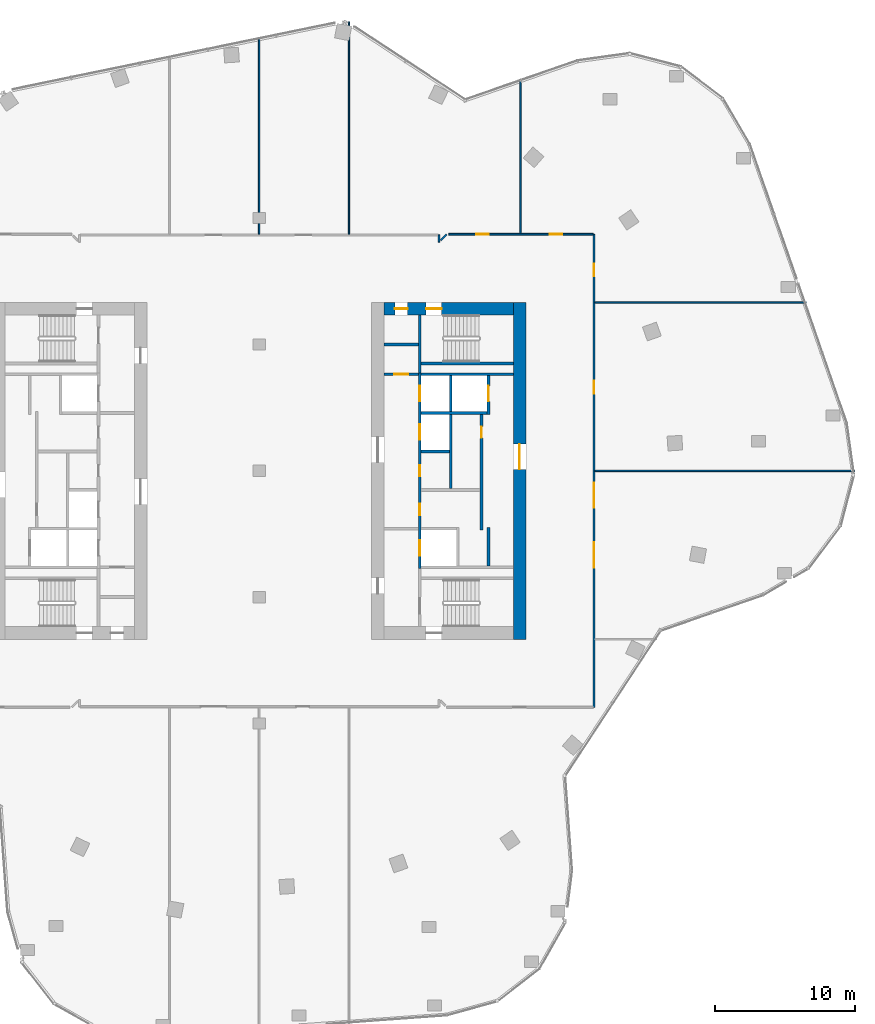
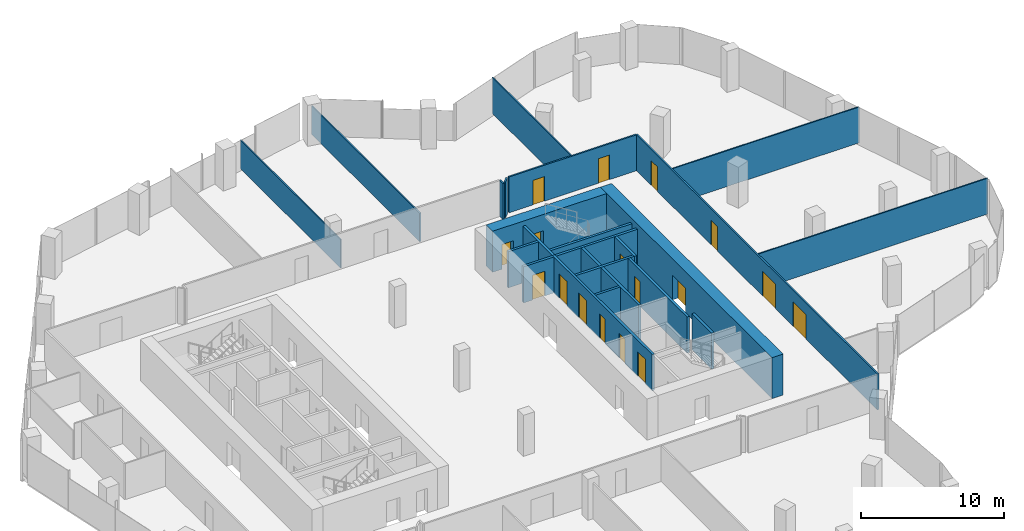
# One storey, part 20 of 24: 24 walls, 17 doors, 17 openings.
"""IFC4 building model written with IfcOpenShell, lengths in metres."""

from ifc_helpers import new_model, si_unit, direction, frame, frame_2d, origin, place, context, subcontext, project, spatial, rectangle, extrude, material, layer, layer_set, type_object, element, fill, save


model = new_model("IFC4")

# Units and contexts
model_context = context("Model", 3, precision=1e-05, world=origin(), true_north=direction((0.0, 1.0)))
body_context = subcontext(model_context, "Body", "Model", "MODEL_VIEW")
ifc_project = project(units=[si_unit("LENGTHUNIT", "METRE"), si_unit("AREAUNIT", "SQUARE_METRE"), si_unit("VOLUMEUNIT", "CUBIC_METRE"), si_unit("PLANEANGLEUNIT", "RADIAN"), si_unit("MASSUNIT", "GRAM", prefix="KILO")], contexts=[model_context])

# Site, building, storey
site_placement = place(None, origin())
site = spatial("IfcSite", under=ifc_project, at=site_placement, CompositionType="ELEMENT")
building_placement = place(site_placement, origin())
building = spatial("IfcBuilding", under=site, at=building_placement, Name="Orlundy Tower", CompositionType="ELEMENT")
storey_placement = place(building_placement, frame((0.0, 0.0, 246.0)))
storey = spatial("IfcBuildingStorey", under=building, at=storey_placement, Name="L65", CompositionType="ELEMENT", Elevation=246.0)

# Wall, openings, doors
ifc_material_1 = material(Name="Concrete C60/75", Category="concrete")
ifc_layer_1 = layer(ifc_material_1, 0.89990234375)
ifc_layer_set_1 = layer_set([ifc_layer_1], Name="CORE WALL 900 C60/75")
wall_type_1 = type_object("IfcWallType", Name="CORE WALL 900 C60/75", PredefinedType="SHEAR", material=ifc_layer_set_1)
wall_1_placement = place(storey_placement, frame((8.89990234375, 11.550048828125, 0.0), z_axis=(0.0, 0.0, 1.0), x_axis=(1.0, 0.0, 0.0)))
wall_1 = element("IfcWall", 1, at=wall_1_placement, inside=storey, type_object=wall_type_1, Name="Core wall E-N L65", PredefinedType="SHEAR", context=body_context, shape_type="SweptSolid", body=[
    extrude(rectangle(XDim=9.2001953125, YDim=0.89990234375, at=frame_2d((4.60009765625, 0.0))), origin(), (0.0, 0.0, 1.0), 3.5),
])
opening_1_placement = place(wall_1_placement, frame((3.0, 0.0, 0.0)))
opening_1 = element("IfcOpeningElement", 2, at=opening_1_placement, cuts=wall_1, Name="Opening 49061", PredefinedType="OPENING", context=body_context, shape_type="SweptSolid", body=[
    extrude(rectangle(XDim=1.10009765625, YDim=2.10009765625, at=frame_2d((0.550048828125, 1.050048828125))), frame((0.0, 0.4599609375, 0.0), z_axis=(0.0, -1.0, 0.0), x_axis=(1.0, 0.0, 0.0)), (0.0, 0.0, 1.0), 0.919921875),
])
opening_2_placement = place(wall_1_placement, frame((0.77001953125, 0.0, 0.0)))
opening_2 = element("IfcOpeningElement", 3, at=opening_2_placement, cuts=wall_1, Name="Opening 49063", PredefinedType="OPENING", context=body_context, shape_type="SweptSolid", body=[
    extrude(rectangle(XDim=0.89990234375, YDim=2.10009765625, at=frame_2d((0.449951171875, 1.050048828125))), frame((0.0, 0.4599609375, 0.0), z_axis=(0.0, -1.0, 0.0), x_axis=(1.0, 0.0, 0.0)), (0.0, 0.0, 1.0), 0.919921875),
])
ifc_material_2 = material(Name="Timber door set", Category="wood")
door_type_1 = type_object("IfcDoorType", Name="Room Door 900x2100", OperationType="SINGLE_SWING_LEFT", PredefinedType="DOOR", material=ifc_material_2)
door_1_placement = place(opening_2_placement, origin())
door_1 = element("IfcDoor", 4, at=door_1_placement, inside=storey, type_object=door_type_1, Name="Store door 49063", OperationType="SINGLE_SWING_LEFT", OverallHeight=2.10009765625, OverallWidth=0.89990234375, PredefinedType="DOOR", context=body_context, shape_type="SweptSolid", body=[
    extrude(rectangle(XDim=0.89990234375, YDim=2.10009765625, at=frame_2d((0.449951171875, 1.050048828125))), frame((0.0, 0.02490234375, 0.0), z_axis=(0.0, -1.0, 0.0), x_axis=(1.0, 0.0, 0.0)), (0.0, 0.0, 1.0), 0.050048828125),
])
fill(opening_2, door_1)
ifc_material_3 = material(Name="Steel door set", Category="steel")
door_type_2 = type_object("IfcDoorType", Name="Stair Door 1100x2100", OperationType="SINGLE_SWING_LEFT", PredefinedType="DOOR", material=ifc_material_3)
door_2_placement = place(opening_1_placement, origin())
door_2 = element("IfcDoor", 5, at=door_2_placement, inside=storey, type_object=door_type_2, Name="Stair door 49061", OperationType="SINGLE_SWING_LEFT", OverallHeight=2.10009765625, OverallWidth=1.10009765625, PredefinedType="DOOR", context=body_context, shape_type="SweptSolid", body=[
    extrude(rectangle(XDim=1.10009765625, YDim=2.10009765625, at=frame_2d((0.550048828125, 1.050048828125))), frame((0.0, 0.02490234375, 0.0), z_axis=(0.0, -1.0, 0.0), x_axis=(1.0, 0.0, 0.0)), (0.0, 0.0, 1.0), 0.050048828125),
])
fill(opening_1, door_2)

# Wall, opening, door
wall_2_placement = place(storey_placement, frame((18.550048828125, -12.0, 0.0), z_axis=(0.0, 0.0, 1.0), x_axis=(0.0, 1.0, 0.0)))
wall_2 = element("IfcWall", 6, at=wall_2_placement, inside=storey, type_object=wall_type_1, Name="Core wall E-E L65", PredefinedType="SHEAR", context=body_context, shape_type="SweptSolid", body=[
    extrude(rectangle(XDim=24.0, YDim=0.89990234375, at=frame_2d((12.0, 0.0))), origin(), (0.0, 0.0, 1.0), 3.5),
])
opening_3_placement = place(wall_2_placement, frame((12.10009765625, 0.0, 0.0)))
opening_3 = element("IfcOpeningElement", 7, at=opening_3_placement, cuts=wall_2, Name="Opening 49058", PredefinedType="OPENING", context=body_context, shape_type="SweptSolid", body=[
    extrude(rectangle(XDim=1.800048828125, YDim=2.10009765625, at=frame_2d((0.89990234375, 1.050048828125))), frame((0.0, 0.4599609375, 0.0), z_axis=(0.0, -1.0, 0.0), x_axis=(1.0, 0.0, 0.0)), (0.0, 0.0, 1.0), 0.919921875),
])
ifc_material_4 = material(Name="Timber door set", Category="wood")
door_type_3 = type_object("IfcDoorType", Name="Lobby Door 1800x2100", OperationType="DOUBLE_DOOR_DOUBLE_SWING", PredefinedType="DOOR", material=ifc_material_4)
door_3_placement = place(opening_3_placement, origin())
door_3 = element("IfcDoor", 8, at=door_3_placement, inside=storey, type_object=door_type_3, Name="Lift lobby door 49058", OperationType="SINGLE_SWING_RIGHT", OverallHeight=2.10009765625, OverallWidth=1.800048828125, PredefinedType="DOOR", context=body_context, shape_type="SweptSolid", body=[
    extrude(rectangle(XDim=1.800048828125, YDim=2.10009765625, at=frame_2d((0.89990234375, 1.050048828125))), frame((0.0, 0.02490234375, 0.0), z_axis=(0.0, -1.0, 0.0), x_axis=(1.0, 0.0, 0.0)), (0.0, 0.0, 1.0), 0.050048828125),
])
fill(opening_3, door_3)

# Walls
ifc_material_5 = material(Name="Gypsum board partition")
ifc_layer_2 = layer(ifc_material_5, 0.10009765625)
ifc_layer_set_2 = layer_set([ifc_layer_2], Name="Floor partition 100")
wall_type_2 = type_object("IfcWallType", Name="Floor partition 100", PredefinedType="PARTITIONING", material=ifc_layer_set_2)
wall_3_placement = place(storey_placement, frame((23.9130859375, 0.0, 0.0), z_axis=(0.0, 0.0, 1.0), x_axis=(1.0, 0.0, 0.0)))
element("IfcWall", 9, at=wall_3_placement, inside=storey, type_object=wall_type_2, Name="wall-int-L65-009", PredefinedType="PARTITIONING", context=body_context, shape_type="SweptSolid", body=[
    extrude(rectangle(XDim=18.510986328125, YDim=0.10009765625, at=frame_2d((9.25537109375, 0.0))), origin(), (0.0, 0.0, 1.0), 3.06005859375),
])
wall_4_placement = place(storey_placement, frame((23.9130859375, 12.0, 0.0), z_axis=(0.0, 0.0, 1.0), x_axis=(1.0, 0.0, 0.0)))
element("IfcWall", 10, at=wall_4_placement, inside=storey, type_object=wall_type_2, Name="wall-int-L65-012", PredefinedType="PARTITIONING", context=body_context, shape_type="SweptSolid", body=[
    extrude(rectangle(XDim=15.056884765625, YDim=0.10009765625, at=frame_2d((7.5283203125, 0.0))), origin(), (0.0, 0.0, 1.0), 3.06005859375),
])
wall_5_placement = place(storey_placement, frame((18.60498046875, 16.9130859375, 0.0), z_axis=(0.0, 0.0, 1.0), x_axis=(0.0, 1.0, 0.0)))
element("IfcWall", 11, at=wall_5_placement, inside=storey, type_object=wall_type_2, Name="wall-int-L65-019", PredefinedType="PARTITIONING", context=body_context, shape_type="SweptSolid", body=[
    extrude(rectangle(XDim=10.991943359375, YDim=0.10009765625, at=frame_2d((5.49609375, 0.0))), origin(), (0.0, 0.0, 1.0), 3.06005859375),
])
ifc_material_6 = material(Name="Gypsum board partition")
ifc_layer_3 = layer(ifc_material_6, 0.10009765625)
ifc_layer_set_3 = layer_set([ifc_layer_3], Name="Floor partition 100 B")
wall_type_3 = type_object("IfcWallType", Name="Floor partition 100 B", PredefinedType="PARTITIONING", material=ifc_layer_set_3)
wall_6_placement = place(storey_placement, frame((6.39892578125, 16.863037109375, 0.0), z_axis=(0.0, 0.0, 1.0), x_axis=(0.0, 1.0, 0.0)))
element("IfcWall", 12, at=wall_6_placement, inside=storey, type_object=wall_type_3, Name="wall-int-L65-023", PredefinedType="PARTITIONING", context=body_context, shape_type="SweptSolid", body=[
    extrude(rectangle(XDim=15.135009765625, YDim=0.10009765625, at=frame_2d((7.5673828125, 0.0))), origin(), (0.0, 0.0, 1.0), 2.425048828125),
])
wall_7_placement = place(storey_placement, frame((0.0, 16.863037109375, 0.0), z_axis=(0.0, 0.0, 1.0), x_axis=(0.0, 1.0, 0.0)))
element("IfcWall", 13, at=wall_7_placement, inside=storey, type_object=wall_type_3, Name="wall-int-L65-025", PredefinedType="PARTITIONING", context=body_context, shape_type="SweptSolid", body=[
    extrude(rectangle(XDim=14.02490234375, YDim=0.10009765625, at=frame_2d((7.012451171875, 0.0))), origin(), (0.0, 0.0, 1.0), 2.425048828125),
])

# Wall, openings, doors
ifc_material_7 = material(Name="Gypsum board partition, double layer")
ifc_layer_4 = layer(ifc_material_7, 0.125)
ifc_layer_set_4 = layer_set([ifc_layer_4], Name="Floor partition 125")
wall_type_4 = type_object("IfcWallType", Name="Floor partition 125", PredefinedType="PARTITIONING", material=ifc_layer_set_4)
wall_8_placement = place(storey_placement, frame((13.510986328125, 16.85107421875, 0.0), z_axis=(0.0, 0.0, 1.0), x_axis=(1.0, 0.0, 0.0)))
wall_8 = element("IfcWall", 14, at=wall_8_placement, inside=storey, type_object=wall_type_4, Name="wall-int-L65-015", PredefinedType="PARTITIONING", context=body_context, shape_type="SweptSolid", body=[
    extrude(rectangle(XDim=10.276123046875, YDim=0.125, at=frame_2d((5.13818359375, 0.0))), origin(), (0.0, 0.0, 1.0), 3.06005859375),
])
opening_4_placement = place(wall_8_placement, frame((7.194091796875, 0.0, 0.0)))
opening_4 = element("IfcOpeningElement", 15, at=opening_4_placement, cuts=wall_8, Name="Opening 49107", PredefinedType="OPENING", context=body_context, shape_type="SweptSolid", body=[
    extrude(rectangle(XDim=0.89990234375, YDim=2.10009765625, at=frame_2d((0.449951171875, 1.050048828125))), frame((0.0, 0.072509765625, 0.0), z_axis=(0.0, -1.0, 0.0), x_axis=(1.0, 0.0, 0.0)), (0.0, 0.0, 1.0), 0.14501953125),
])
opening_5_placement = place(wall_8_placement, frame((1.94921875, 0.0, 0.0)))
opening_5 = element("IfcOpeningElement", 16, at=opening_5_placement, cuts=wall_8, Name="Opening 49109", PredefinedType="OPENING", context=body_context, shape_type="SweptSolid", body=[
    extrude(rectangle(XDim=0.89990234375, YDim=2.10009765625, at=frame_2d((0.449951171875, 1.050048828125))), frame((0.0, 0.072509765625, 0.0), z_axis=(0.0, -1.0, 0.0), x_axis=(1.0, 0.0, 0.0)), (0.0, 0.0, 1.0), 0.14501953125),
])
ifc_material_8 = material(Name="Timber door leaf", Category="wood")
door_type_4 = type_object("IfcDoorType", Name="Floor door single 900 FD30S", OperationType="NOTDEFINED", PredefinedType="DOOR", material=ifc_material_8)
door_4_placement = place(opening_4_placement, origin())
door_4 = element("IfcDoor", 17, at=door_4_placement, inside=storey, type_object=door_type_4, Name="Door 49107", OperationType="SINGLE_SWING_RIGHT", OverallHeight=2.10009765625, OverallWidth=0.89990234375, PredefinedType="DOOR", context=body_context, shape_type="SweptSolid", body=[
    extrude(rectangle(XDim=0.89990234375, YDim=2.10009765625, at=frame_2d((0.449951171875, 1.050048828125))), frame((0.0, 0.02490234375, 0.0), z_axis=(0.0, -1.0, 0.0), x_axis=(1.0, 0.0, 0.0)), (0.0, 0.0, 1.0), 0.050048828125),
])
fill(opening_4, door_4)
door_5_placement = place(opening_5_placement, origin())
door_5 = element("IfcDoor", 18, at=door_5_placement, inside=storey, type_object=door_type_4, Name="Door 49109", OperationType="SINGLE_SWING_LEFT", OverallHeight=2.10009765625, OverallWidth=0.89990234375, PredefinedType="DOOR", context=body_context, shape_type="SweptSolid", body=[
    extrude(rectangle(XDim=0.89990234375, YDim=2.10009765625, at=frame_2d((0.449951171875, 1.050048828125))), frame((0.0, 0.02490234375, 0.0), z_axis=(0.0, -1.0, 0.0), x_axis=(1.0, 0.0, 0.0)), (0.0, 0.0, 1.0), 0.050048828125),
])
fill(opening_5, door_5)

# Wall
wall_9_placement = place(storey_placement, frame((12.928955078125, 16.406982421875, 0.0), z_axis=(0.0, 0.0, 1.0), x_axis=(0.707106781187, 0.707106781187, 0.0)))
element("IfcWall", 19, at=wall_9_placement, inside=storey, type_object=wall_type_4, Name="wall-int-L65-017", PredefinedType="PARTITIONING", context=body_context, shape_type="SweptSolid", body=[
    extrude(rectangle(XDim=0.599609375, YDim=0.125, at=frame_2d((0.2998046875, 0.0))), origin(), (0.0, 0.0, 1.0), 3.06005859375),
])

# Wall, openings, doors
wall_10_placement = place(storey_placement, frame((23.85107421875, 16.85009765625, 0.0), z_axis=(0.0, 0.0, 1.0), x_axis=(0.0, -1.0, 0.0)))
wall_10 = element("IfcWall", 20, at=wall_10_placement, inside=storey, type_object=wall_type_4, Name="wall-int-L65-018", PredefinedType="PARTITIONING", context=body_context, shape_type="SweptSolid", body=[
    extrude(rectangle(XDim=33.7001953125, YDim=0.125, at=frame_2d((16.85009765625, 0.0))), origin(), (0.0, 0.0, 1.0), 3.06005859375),
])
opening_6_placement = place(wall_10_placement, frame((21.949951171875, 0.0, 0.0)))
opening_6 = element("IfcOpeningElement", 21, at=opening_6_placement, cuts=wall_10, Name="Opening 49104", PredefinedType="OPENING", context=body_context, shape_type="SweptSolid", body=[
    extrude(rectangle(XDim=1.800048828125, YDim=2.10009765625, at=frame_2d((0.89990234375, 1.050048828125))), frame((0.0, 0.072509765625, 0.0), z_axis=(0.0, -1.0, 0.0), x_axis=(1.0, 0.0, 0.0)), (0.0, 0.0, 1.0), 0.14501953125),
])
opening_7_placement = place(wall_10_placement, frame((17.699951171875, 0.0, 0.0)))
opening_7 = element("IfcOpeningElement", 22, at=opening_7_placement, cuts=wall_10, Name="Opening 49105", PredefinedType="OPENING", context=body_context, shape_type="SweptSolid", body=[
    extrude(rectangle(XDim=1.800048828125, YDim=2.10009765625, at=frame_2d((0.89990234375, 1.050048828125))), frame((0.0, 0.072509765625, 0.0), z_axis=(0.0, -1.0, 0.0), x_axis=(1.0, 0.0, 0.0)), (0.0, 0.0, 1.0), 0.14501953125),
])
opening_8_placement = place(wall_10_placement, frame((10.449951171875, 0.0, 0.0)))
opening_8 = element("IfcOpeningElement", 23, at=opening_8_placement, cuts=wall_10, Name="Opening 49106", PredefinedType="OPENING", context=body_context, shape_type="SweptSolid", body=[
    extrude(rectangle(XDim=0.89990234375, YDim=2.10009765625, at=frame_2d((0.449951171875, 1.050048828125))), frame((0.0, 0.072509765625, 0.0), z_axis=(0.0, -1.0, 0.0), x_axis=(1.0, 0.0, 0.0)), (0.0, 0.0, 1.0), 0.14501953125),
])
opening_9_placement = place(wall_10_placement, frame((2.10009765625, 0.0, 0.0)))
opening_9 = element("IfcOpeningElement", 24, at=opening_9_placement, cuts=wall_10, Name="Opening 49108", PredefinedType="OPENING", context=body_context, shape_type="SweptSolid", body=[
    extrude(rectangle(XDim=0.89990234375, YDim=2.10009765625, at=frame_2d((0.449951171875, 1.050048828125))), frame((0.0, 0.072509765625, 0.0), z_axis=(0.0, -1.0, 0.0), x_axis=(1.0, 0.0, 0.0)), (0.0, 0.0, 1.0), 0.14501953125),
])
ifc_material_9 = material(Name="Timber door leaf", Category="wood")
door_type_5 = type_object("IfcDoorType", Name="Floor door double 1800 FD30S", OperationType="NOTDEFINED", PredefinedType="DOOR", material=ifc_material_9)
door_6_placement = place(opening_6_placement, origin())
door_6 = element("IfcDoor", 25, at=door_6_placement, inside=storey, type_object=door_type_5, Name="Door 49104", OperationType="DOUBLE_DOOR_SINGLE_SWING", OverallHeight=2.10009765625, OverallWidth=1.800048828125, PredefinedType="DOOR", context=body_context, shape_type="SweptSolid", body=[
    extrude(rectangle(XDim=1.800048828125, YDim=2.10009765625, at=frame_2d((0.89990234375, 1.050048828125))), frame((0.0, 0.02490234375, 0.0), z_axis=(0.0, -1.0, 0.0), x_axis=(1.0, 0.0, 0.0)), (0.0, 0.0, 1.0), 0.050048828125),
])
fill(opening_6, door_6)
door_7_placement = place(opening_7_placement, origin())
door_7 = element("IfcDoor", 26, at=door_7_placement, inside=storey, type_object=door_type_5, Name="Door 49105", OperationType="DOUBLE_DOOR_SINGLE_SWING", OverallHeight=2.10009765625, OverallWidth=1.800048828125, PredefinedType="DOOR", context=body_context, shape_type="SweptSolid", body=[
    extrude(rectangle(XDim=1.800048828125, YDim=2.10009765625, at=frame_2d((0.89990234375, 1.050048828125))), frame((0.0, 0.02490234375, 0.0), z_axis=(0.0, -1.0, 0.0), x_axis=(1.0, 0.0, 0.0)), (0.0, 0.0, 1.0), 0.050048828125),
])
fill(opening_7, door_7)
door_8_placement = place(opening_8_placement, origin())
door_8 = element("IfcDoor", 27, at=door_8_placement, inside=storey, type_object=door_type_4, Name="Door 49106", OperationType="SINGLE_SWING_LEFT", OverallHeight=2.10009765625, OverallWidth=0.89990234375, PredefinedType="DOOR", context=body_context, shape_type="SweptSolid", body=[
    extrude(rectangle(XDim=0.89990234375, YDim=2.10009765625, at=frame_2d((0.449951171875, 1.050048828125))), frame((0.0, 0.02490234375, 0.0), z_axis=(0.0, -1.0, 0.0), x_axis=(1.0, 0.0, 0.0)), (0.0, 0.0, 1.0), 0.050048828125),
])
fill(opening_8, door_8)
door_9_placement = place(opening_9_placement, origin())
door_9 = element("IfcDoor", 28, at=door_9_placement, inside=storey, type_object=door_type_4, Name="Door 49108", OperationType="SINGLE_SWING_LEFT", OverallHeight=2.10009765625, OverallWidth=0.89990234375, PredefinedType="DOOR", context=body_context, shape_type="SweptSolid", body=[
    extrude(rectangle(XDim=0.89990234375, YDim=2.10009765625, at=frame_2d((0.449951171875, 1.050048828125))), frame((0.0, 0.02490234375, 0.0), z_axis=(0.0, -1.0, 0.0), x_axis=(1.0, 0.0, 0.0)), (0.0, 0.0, 1.0), 0.050048828125),
])
fill(opening_9, door_9)

# Walls
wall_11_placement = place(storey_placement, frame((12.801025390625, 16.2919921875, 0.0), z_axis=(0.0, 0.0, 1.0), x_axis=(0.0, 1.0, 0.0)))
element("IfcWall", 29, at=wall_11_placement, inside=storey, type_object=wall_type_4, Name="wall-int-L65-021", PredefinedType="PARTITIONING", context=body_context, shape_type="SweptSolid", body=[
    extrude(rectangle(XDim=0.508056640625, YDim=0.125, at=frame_2d((0.25390625, 0.0))), origin(), (0.0, 0.0, 1.0), 3.06005859375),
])
ifc_material_10 = material(Name="Concrete C40/50", Category="concrete")
ifc_layer_5 = layer(ifc_material_10, 0.199951171875)
ifc_layer_set_5 = layer_set([ifc_layer_5], Name="Load-bearing Shaft Wall 200")
wall_type_5 = type_object("IfcWallType", Name="Load-bearing Shaft Wall 200", PredefinedType="SOLIDWALL", material=ifc_layer_set_5)
wall_12_placement = place(storey_placement, frame((11.43994140625, 11.10009765625, 0.0), z_axis=(0.0, 0.0, 1.0), x_axis=(0.0, -1.0, 0.0)))
element("IfcWall", 30, at=wall_12_placement, inside=storey, type_object=wall_type_5, Name="Shaft wall E49-stair-end-s", PredefinedType="SOLIDWALL", context=body_context, shape_type="SweptSolid", body=[
    extrude(rectangle(XDim=4.125, YDim=0.199951171875, at=frame_2d((2.0625, 0.0))), origin(), (0.0, 0.0, 1.0), 3.080078125),
])
wall_13_placement = place(storey_placement, frame((11.5400390625, 7.64990234375, 0.0), z_axis=(0.0, 0.0, 1.0), x_axis=(1.0, 0.0, 0.0)))
element("IfcWall", 31, at=wall_13_placement, inside=storey, type_object=wall_type_5, Name="Shaft wall E49-stair-side-s", PredefinedType="SOLIDWALL", context=body_context, shape_type="SweptSolid", body=[
    extrude(rectangle(XDim=6.56005859375, YDim=0.199951171875, at=frame_2d((3.280029296875, 0.0))), origin(), (0.0, 0.0, 1.0), 3.080078125),
])

# Wall, opening, door
ifc_material_11 = material(Name="Gypsum board partition on steel studs", Category="steel")
ifc_layer_6 = layer(ifc_material_11, 0.199951171875)
ifc_layer_set_6 = layer_set([ifc_layer_6], Name="Partition 200")
wall_type_6 = type_object("IfcWallType", Name="Partition 200", PredefinedType="PARTITIONING", material=ifc_layer_set_6)
wall_14_placement = place(storey_placement, frame((8.89990234375, 6.875, 0.0), z_axis=(0.0, 0.0, 1.0), x_axis=(1.0, 0.0, 0.0)))
wall_14 = element("IfcWall", 32, at=wall_14_placement, inside=storey, type_object=wall_type_6, Name="Partition wall E49-end-s", PredefinedType="PARTITIONING", context=body_context, shape_type="SweptSolid", body=[
    extrude(rectangle(XDim=2.440185546875, YDim=0.199951171875, at=frame_2d((1.22021484375, 0.0))), origin(), (0.0, 0.0, 1.0), 3.080078125),
])
opening_10_placement = place(wall_14_placement, frame((0.719970703125, 0.0, 0.0)))
opening_10 = element("IfcOpeningElement", 33, at=opening_10_placement, cuts=wall_14, Name="Opening 49064", PredefinedType="OPENING", context=body_context, shape_type="SweptSolid", body=[
    extrude(rectangle(XDim=1.0, YDim=2.10009765625, at=frame_2d((0.5, 1.050048828125))), frame((0.0, 0.110107421875, 0.0), z_axis=(0.0, -1.0, 0.0), x_axis=(1.0, 0.0, 0.0)), (0.0, 0.0, 1.0), 0.22021484375),
])
ifc_material_12 = material(Name="Timber door set", Category="wood")
door_type_6 = type_object("IfcDoorType", Name="Accessible Door 1000x2100", OperationType="SINGLE_SWING_LEFT", PredefinedType="DOOR", material=ifc_material_12)
door_10_placement = place(opening_10_placement, origin())
door_10 = element("IfcDoor", 34, at=door_10_placement, inside=storey, type_object=door_type_6, Name="Accessible WC door 49064", OperationType="SINGLE_SWING_RIGHT", OverallHeight=2.10009765625, OverallWidth=1.0, PredefinedType="DOOR", context=body_context, shape_type="SweptSolid", body=[
    extrude(rectangle(XDim=1.0, YDim=2.10009765625, at=frame_2d((0.5, 1.050048828125))), frame((0.0, 0.02490234375, 0.0), z_axis=(0.0, -1.0, 0.0), x_axis=(1.0, 0.0, 0.0)), (0.0, 0.0, 1.0), 0.050048828125),
])
fill(opening_10, door_10)

# Walls
wall_15_placement = place(storey_placement, frame((8.89990234375, 9.0, 0.0), z_axis=(0.0, 0.0, 1.0), x_axis=(1.0, 0.0, 0.0)))
element("IfcWall", 35, at=wall_15_placement, inside=storey, type_object=wall_type_6, Name="Partition wall E49-room-s0", PredefinedType="PARTITIONING", context=body_context, shape_type="SweptSolid", body=[
    extrude(rectangle(XDim=2.440185546875, YDim=0.199951171875, at=frame_2d((1.22021484375, 0.0))), origin(), (0.0, 0.0, 1.0), 3.080078125),
])
ifc_material_13 = material(Name="Fire-rated blockwork shaft wall", Category="masonry")
ifc_layer_7 = layer(ifc_material_13, 0.199951171875)
ifc_layer_set_7 = layer_set([ifc_layer_7], Name="Shaft Wall 200")
wall_type_7 = type_object("IfcWallType", Name="Shaft Wall 200", PredefinedType="SOLIDWALL", material=ifc_layer_set_7)
wall_16_placement = place(storey_placement, frame((11.5400390625, 6.875, 0.0), z_axis=(0.0, 0.0, 1.0), x_axis=(1.0, 0.0, 0.0)))
element("IfcWall", 36, at=wall_16_placement, inside=storey, type_object=wall_type_7, Name="Shaft wall E49-zone-s", PredefinedType="SOLIDWALL", context=body_context, shape_type="SweptSolid", body=[
    extrude(rectangle(XDim=6.56005859375, YDim=0.199951171875, at=frame_2d((3.280029296875, 0.0))), origin(), (0.0, 0.0, 1.0), 3.080078125),
])
wall_17_placement = place(storey_placement, frame((11.5400390625, 4.125, 0.0), z_axis=(0.0, 0.0, 1.0), x_axis=(1.0, 0.0, 0.0)))
element("IfcWall", 37, at=wall_17_placement, inside=storey, type_object=wall_type_7, Name="Shaft wall E49-cross-4.125", PredefinedType="SOLIDWALL", context=body_context, shape_type="SweptSolid", body=[
    extrude(rectangle(XDim=4.699951171875, YDim=0.199951171875, at=frame_2d((2.35009765625, 0.0))), origin(), (0.0, 0.0, 1.0), 3.080078125),
])
wall_18_placement = place(storey_placement, frame((11.5400390625, 1.375, 0.0), z_axis=(0.0, 0.0, 1.0), x_axis=(1.0, 0.0, 0.0)))
element("IfcWall", 38, at=wall_18_placement, inside=storey, type_object=wall_type_7, Name="Shaft wall E49-cross-1.375", PredefinedType="SOLIDWALL", context=body_context, shape_type="SweptSolid", body=[
    extrude(rectangle(XDim=2.0, YDim=0.199951171875, at=frame_2d((1.0, 0.0))), origin(), (0.0, 0.0, 1.0), 3.080078125),
])

# Wall, openings, doors
wall_19_placement = place(storey_placement, frame((11.43994140625, 6.97509765625, 0.0), z_axis=(0.0, 0.0, 1.0), x_axis=(0.0, -1.0, 0.0)))
wall_19 = element("IfcWall", 39, at=wall_19_placement, inside=storey, type_object=wall_type_7, Name="Shaft wall E49-front-h", PredefinedType="SOLIDWALL", context=body_context, shape_type="SweptSolid", body=[
    extrude(rectangle(XDim=13.9501953125, YDim=0.199951171875, at=frame_2d((6.97509765625, 0.0))), origin(), (0.0, 0.0, 1.0), 3.080078125),
])
opening_11_placement = place(wall_19_placement, frame((0.925048828125, 0.0, 0.0)))
opening_11 = element("IfcOpeningElement", 40, at=opening_11_placement, cuts=wall_19, Name="Opening 49050", PredefinedType="OPENING", context=body_context, shape_type="SweptSolid", body=[
    extrude(rectangle(XDim=1.10009765625, YDim=2.10009765625, at=frame_2d((0.550048828125, 1.050048828125))), frame((0.0, 0.110107421875, 0.0), z_axis=(0.0, -1.0, 0.0), x_axis=(1.0, 0.0, 0.0)), (0.0, 0.0, 1.0), 0.22021484375),
])
opening_12_placement = place(wall_19_placement, frame((3.675048828125, 0.0, 0.0)))
opening_12 = element("IfcOpeningElement", 41, at=opening_12_placement, cuts=wall_19, Name="Opening 49052", PredefinedType="OPENING", context=body_context, shape_type="SweptSolid", body=[
    extrude(rectangle(XDim=1.10009765625, YDim=2.10009765625, at=frame_2d((0.550048828125, 1.050048828125))), frame((0.0, 0.110107421875, 0.0), z_axis=(0.0, -1.0, 0.0), x_axis=(1.0, 0.0, 0.0)), (0.0, 0.0, 1.0), 0.22021484375),
])
opening_13_placement = place(wall_19_placement, frame((11.925048828125, 0.0, 0.0)))
opening_13 = element("IfcOpeningElement", 42, at=opening_13_placement, cuts=wall_19, Name="Opening 49053", PredefinedType="OPENING", context=body_context, shape_type="SweptSolid", body=[
    extrude(rectangle(XDim=1.10009765625, YDim=2.10009765625, at=frame_2d((0.550048828125, 1.050048828125))), frame((0.0, 0.110107421875, 0.0), z_axis=(0.0, -1.0, 0.0), x_axis=(1.0, 0.0, 0.0)), (0.0, 0.0, 1.0), 0.22021484375),
])
opening_14_placement = place(wall_19_placement, frame((6.574951171875, 0.0, 0.0)))
opening_14 = element("IfcOpeningElement", 43, at=opening_14_placement, cuts=wall_19, Name="Opening 49055", PredefinedType="OPENING", context=body_context, shape_type="SweptSolid", body=[
    extrude(rectangle(XDim=0.800048828125, YDim=2.10009765625, at=frame_2d((0.39990234375, 1.050048828125))), frame((0.0, 0.110107421875, 0.0), z_axis=(0.0, -1.0, 0.0), x_axis=(1.0, 0.0, 0.0)), (0.0, 0.0, 1.0), 0.22021484375),
])
opening_15_placement = place(wall_19_placement, frame((9.324951171875, 0.0, 0.0)))
opening_15 = element("IfcOpeningElement", 44, at=opening_15_placement, cuts=wall_19, Name="Opening 49056", PredefinedType="OPENING", context=body_context, shape_type="SweptSolid", body=[
    extrude(rectangle(XDim=0.800048828125, YDim=2.10009765625, at=frame_2d((0.39990234375, 1.050048828125))), frame((0.0, 0.110107421875, 0.0), z_axis=(0.0, -1.0, 0.0), x_axis=(1.0, 0.0, 0.0)), (0.0, 0.0, 1.0), 0.22021484375),
])
ifc_material_14 = material(Name="Steel door set", Category="steel")
door_type_7 = type_object("IfcDoorType", Name="Landing Door 1100x2100", OperationType="DOUBLE_DOOR_SLIDING", PredefinedType="DOOR", material=ifc_material_14)
door_11_placement = place(opening_11_placement, origin())
door_11 = element("IfcDoor", 45, at=door_11_placement, inside=storey, type_object=door_type_7, Name="Lift landing door LP-24 49050", OperationType="DOUBLE_DOOR_SLIDING", OverallHeight=2.10009765625, OverallWidth=1.10009765625, PredefinedType="DOOR", context=body_context, shape_type="SweptSolid", body=[
    extrude(rectangle(XDim=1.10009765625, YDim=2.10009765625, at=frame_2d((0.550048828125, 1.050048828125))), frame((0.0, 0.02490234375, 0.0), z_axis=(0.0, -1.0, 0.0), x_axis=(1.0, 0.0, 0.0)), (0.0, 0.0, 1.0), 0.050048828125),
])
fill(opening_11, door_11)
door_12_placement = place(opening_12_placement, origin())
door_12 = element("IfcDoor", 46, at=door_12_placement, inside=storey, type_object=door_type_7, Name="Lift landing door LP-23 49052", OperationType="DOUBLE_DOOR_SLIDING", OverallHeight=2.10009765625, OverallWidth=1.10009765625, PredefinedType="DOOR", context=body_context, shape_type="SweptSolid", body=[
    extrude(rectangle(XDim=1.10009765625, YDim=2.10009765625, at=frame_2d((0.550048828125, 1.050048828125))), frame((0.0, 0.02490234375, 0.0), z_axis=(0.0, -1.0, 0.0), x_axis=(1.0, 0.0, 0.0)), (0.0, 0.0, 1.0), 0.050048828125),
])
fill(opening_12, door_12)
door_13_placement = place(opening_13_placement, origin())
door_13 = element("IfcDoor", 47, at=door_13_placement, inside=storey, type_object=door_type_7, Name="Lift landing door FL2 49053", OperationType="DOUBLE_DOOR_SLIDING", OverallHeight=2.10009765625, OverallWidth=1.10009765625, PredefinedType="DOOR", context=body_context, shape_type="SweptSolid", body=[
    extrude(rectangle(XDim=1.10009765625, YDim=2.10009765625, at=frame_2d((0.550048828125, 1.050048828125))), frame((0.0, 0.02490234375, 0.0), z_axis=(0.0, -1.0, 0.0), x_axis=(1.0, 0.0, 0.0)), (0.0, 0.0, 1.0), 0.050048828125),
])
fill(opening_13, door_13)
ifc_material_15 = material(Name="Timber door set", Category="wood")
door_type_8 = type_object("IfcDoorType", Name="Riser Door 800x2100", OperationType="SINGLE_SWING_LEFT", PredefinedType="DOOR", material=ifc_material_15)
door_14_placement = place(opening_14_placement, origin())
door_14 = element("IfcDoor", 48, at=door_14_placement, inside=storey, type_object=door_type_8, Name="Coat Store door 49055", OperationType="SINGLE_SWING_LEFT", OverallHeight=2.10009765625, OverallWidth=0.800048828125, PredefinedType="DOOR", context=body_context, shape_type="SweptSolid", body=[
    extrude(rectangle(XDim=0.800048828125, YDim=2.10009765625, at=frame_2d((0.39990234375, 1.050048828125))), frame((0.0, 0.02490234375, 0.0), z_axis=(0.0, -1.0, 0.0), x_axis=(1.0, 0.0, 0.0)), (0.0, 0.0, 1.0), 0.050048828125),
])
fill(opening_14, door_14)
door_15_placement = place(opening_15_placement, origin())
door_15 = element("IfcDoor", 49, at=door_15_placement, inside=storey, type_object=door_type_8, Name="Parcel Store door 49056", OperationType="SINGLE_SWING_LEFT", OverallHeight=2.10009765625, OverallWidth=0.800048828125, PredefinedType="DOOR", context=body_context, shape_type="SweptSolid", body=[
    extrude(rectangle(XDim=0.800048828125, YDim=2.10009765625, at=frame_2d((0.39990234375, 1.050048828125))), frame((0.0, 0.02490234375, 0.0), z_axis=(0.0, -1.0, 0.0), x_axis=(1.0, 0.0, 0.0)), (0.0, 0.0, 1.0), 0.050048828125),
])
fill(opening_15, door_15)

# Walls
wall_20_placement = place(storey_placement, frame((13.639892578125, 6.77490234375, 0.0), z_axis=(0.0, 0.0, 1.0), x_axis=(0.0, -1.0, 0.0)))
element("IfcWall", 50, at=wall_20_placement, inside=storey, type_object=wall_type_7, Name="Shaft wall E49-mid-a", PredefinedType="SOLIDWALL", context=body_context, shape_type="SweptSolid", body=[
    extrude(rectangle(XDim=2.5498046875, YDim=0.199951171875, at=frame_2d((1.27490234375, 0.0))), origin(), (0.0, 0.0, 1.0), 3.080078125),
])
wall_21_placement = place(storey_placement, frame((13.639892578125, 4.02490234375, 0.0), z_axis=(0.0, 0.0, 1.0), x_axis=(0.0, -1.0, 0.0)))
element("IfcWall", 51, at=wall_21_placement, inside=storey, type_object=wall_type_7, Name="Shaft wall E49-mid-a.1", PredefinedType="SOLIDWALL", context=body_context, shape_type="SweptSolid", body=[
    extrude(rectangle(XDim=5.2998046875, YDim=0.199951171875, at=frame_2d((2.64990234375, 0.0))), origin(), (0.0, 0.0, 1.0), 3.080078125),
])

# Wall, opening, door
wall_22_placement = place(storey_placement, frame((16.340087890625, 6.77490234375, 0.0), z_axis=(0.0, 0.0, 1.0), x_axis=(0.0, -1.0, 0.0)))
wall_22 = element("IfcWall", 52, at=wall_22_placement, inside=storey, type_object=wall_type_7, Name="Shaft wall E49-front-o-a", PredefinedType="SOLIDWALL", context=body_context, shape_type="SweptSolid", body=[
    extrude(rectangle(XDim=2.75, YDim=0.199951171875, at=frame_2d((1.375, 0.0))), origin(), (0.0, 0.0, 1.0), 3.080078125),
])
opening_16_placement = place(wall_22_placement, frame((0.72509765625, 0.0, 0.0)))
opening_16 = element("IfcOpeningElement", 53, at=opening_16_placement, cuts=wall_22, Name="Opening 49051", PredefinedType="OPENING", context=body_context, shape_type="SweptSolid", body=[
    extrude(rectangle(XDim=1.10009765625, YDim=2.10009765625, at=frame_2d((0.550048828125, 1.050048828125))), frame((0.0, 0.110107421875, 0.0), z_axis=(0.0, -1.0, 0.0), x_axis=(1.0, 0.0, 0.0)), (0.0, 0.0, 1.0), 0.22021484375),
])
door_16_placement = place(opening_16_placement, origin())
door_16 = element("IfcDoor", 54, at=door_16_placement, inside=storey, type_object=door_type_7, Name="Lift landing door LV-02 49051", OperationType="DOUBLE_DOOR_SLIDING", OverallHeight=2.10009765625, OverallWidth=1.10009765625, PredefinedType="DOOR", context=body_context, shape_type="SweptSolid", body=[
    extrude(rectangle(XDim=1.10009765625, YDim=2.10009765625, at=frame_2d((0.550048828125, 1.050048828125))), frame((0.0, 0.02490234375, 0.0), z_axis=(0.0, -1.0, 0.0), x_axis=(1.0, 0.0, 0.0)), (0.0, 0.0, 1.0), 0.050048828125),
])
fill(opening_16, door_16)

wall_23_placement = place(storey_placement, frame((15.840087890625, 4.02490234375, 0.0), z_axis=(0.0, 0.0, 1.0), x_axis=(0.0, -1.0, 0.0)))
wall_23 = element("IfcWall", 55, at=wall_23_placement, inside=storey, type_object=wall_type_7, Name="Shaft wall E49-front-o-b", PredefinedType="SOLIDWALL", context=body_context, shape_type="SweptSolid", body=[
    extrude(rectangle(XDim=8.25, YDim=0.199951171875, at=frame_2d((4.125, 0.0))), origin(), (0.0, 0.0, 1.0), 3.080078125),
])
opening_17_placement = place(wall_23_placement, frame((0.875, 0.0, 0.0)))
opening_17 = element("IfcOpeningElement", 56, at=opening_17_placement, cuts=wall_23, Name="Opening 49054", PredefinedType="OPENING", context=body_context, shape_type="SweptSolid", body=[
    extrude(rectangle(XDim=0.800048828125, YDim=2.10009765625, at=frame_2d((0.39990234375, 1.050048828125))), frame((0.0, 0.110107421875, 0.0), z_axis=(0.0, -1.0, 0.0), x_axis=(1.0, 0.0, 0.0)), (0.0, 0.0, 1.0), 0.22021484375),
])
door_17_placement = place(opening_17_placement, origin())
door_17 = element("IfcDoor", 57, at=door_17_placement, inside=storey, type_object=door_type_8, Name="Printer Paper Store door 49054", OperationType="SINGLE_SWING_LEFT", OverallHeight=2.10009765625, OverallWidth=0.800048828125, PredefinedType="DOOR", context=body_context, shape_type="SweptSolid", body=[
    extrude(rectangle(XDim=0.800048828125, YDim=2.10009765625, at=frame_2d((0.39990234375, 1.050048828125))), frame((0.0, 0.02490234375, 0.0), z_axis=(0.0, -1.0, 0.0), x_axis=(1.0, 0.0, 0.0)), (0.0, 0.0, 1.0), 0.050048828125),
])
fill(opening_17, door_17)

# Wall
wall_24_placement = place(storey_placement, frame((16.340087890625, -4.02490234375, 0.0), z_axis=(0.0, 0.0, 1.0), x_axis=(0.0, -1.0, 0.0)))
element("IfcWall", 58, at=wall_24_placement, inside=storey, type_object=wall_type_7, Name="Shaft wall E49-front-o-c", PredefinedType="SOLIDWALL", context=body_context, shape_type="SweptSolid", body=[
    extrude(rectangle(XDim=2.75, YDim=0.199951171875, at=frame_2d((1.375, 0.0))), origin(), (0.0, 0.0, 1.0), 3.080078125),
])

save(model, "model.ifc")
